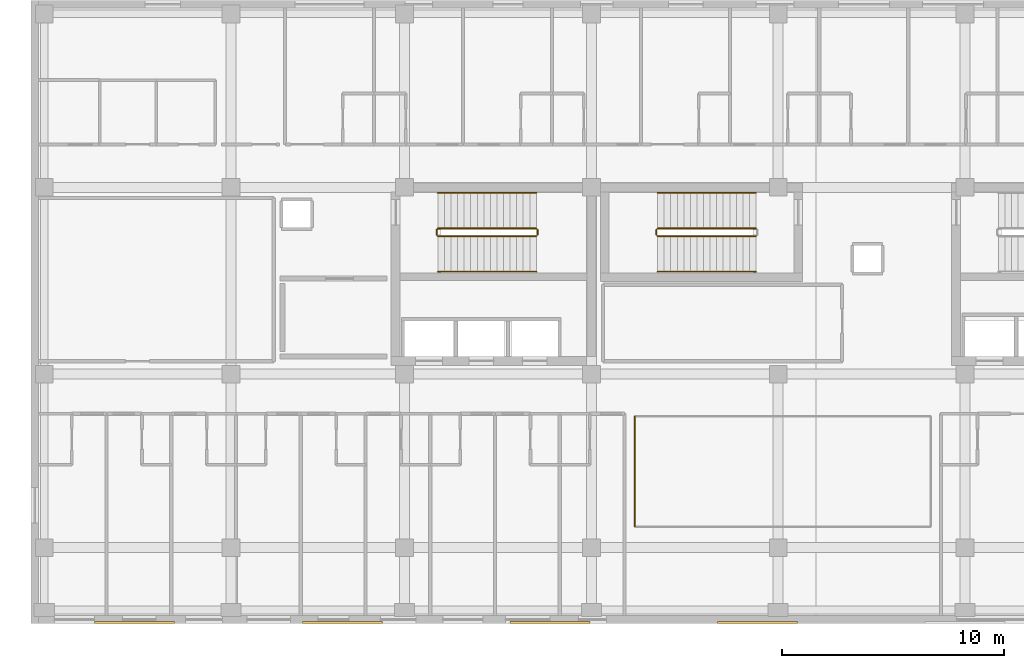
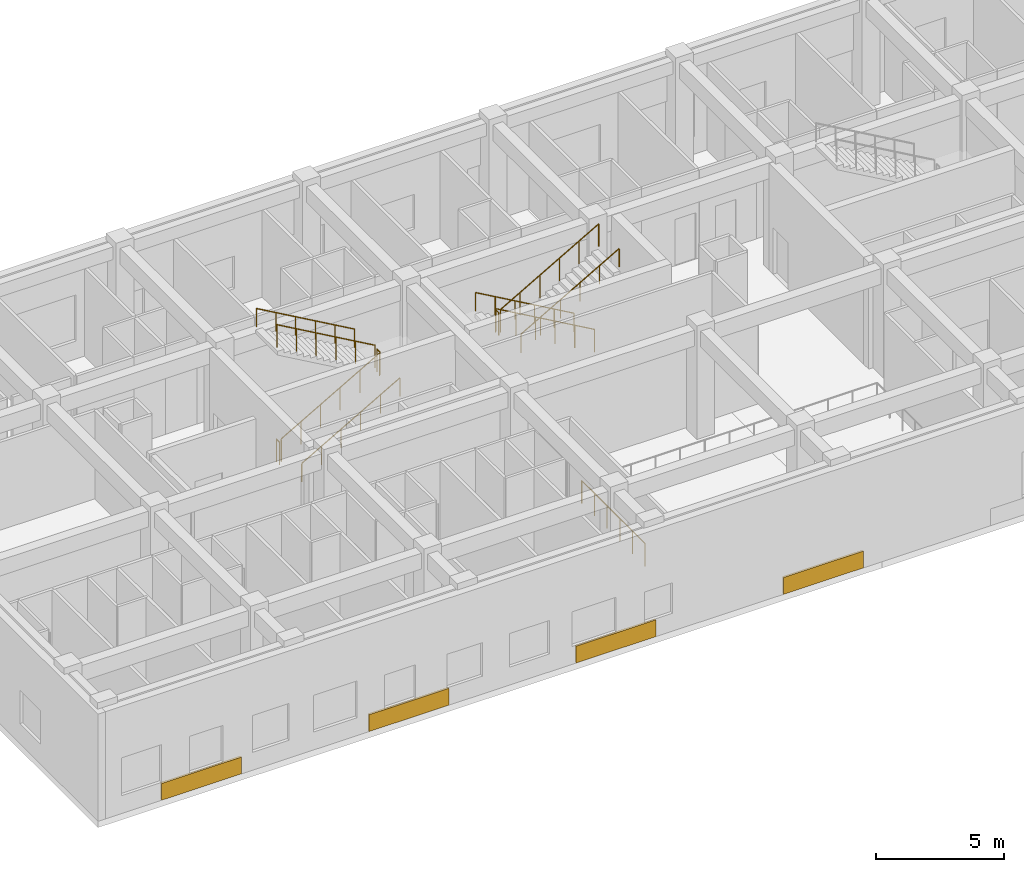
# One storey, part 124 of 139: 12 railings, 4 coverings.
"""IFC4 building model written with IfcOpenShell, lengths in metres."""

from ifc_helpers import new_model, si_unit, direction, frame, origin, origin_2d, place, context, subcontext, project, spatial, rectangle, circle, extrude, material, layer, layer_set, type_object, element, save


model = new_model("IFC4")

# Units and contexts
model_context = context("Model", 3, precision=1e-05, world=origin(), true_north=direction((0.0, 1.0)))
body_context = subcontext(model_context, "Body", "Model", "MODEL_VIEW")
ifc_project = project(units=[si_unit("LENGTHUNIT", "METRE"), si_unit("AREAUNIT", "SQUARE_METRE"), si_unit("VOLUMEUNIT", "CUBIC_METRE"), si_unit("PLANEANGLEUNIT", "RADIAN"), si_unit("MASSUNIT", "GRAM", prefix="KILO")], contexts=[model_context])

# Site, building, storey
site_placement = place(None, origin())
site = spatial("IfcSite", under=ifc_project, at=site_placement, CompositionType="ELEMENT")
building_placement = place(site_placement, origin())
building = spatial("IfcBuilding", under=site, at=building_placement, Name="Zayran Congress Hotel", CompositionType="ELEMENT")
storey_placement = place(building_placement, frame((0.0, 0.0, 5.39990234375)))
storey = spatial("IfcBuildingStorey", under=building, at=storey_placement, Name="L01", CompositionType="ELEMENT", Elevation=5.39990234375)

# Coverings
ifc_material_1 = material(Name="Ochre geometric bas-relief Hajar Ma'ani stone", Category="masonry")
ifc_layer = layer(ifc_material_1, 0.090087890625)
ifc_layer_set = layer_set([ifc_layer], Name="Ochre geometric bas-relief Hajar Ma'ani stone")
covering_type = type_object("IfcCoveringType", Name="TP-CLD-01", PredefinedType="CLADDING", material=ifc_layer_set)
for number, where, z_axis, x_axis, name in (
    (1, (13.06689453125, 6.044921875, 0.0), (0.0, 0.0, 1.0), (1.0, 0.0, 0.0), "CLD-V5S-L01-0"),
    (2, (22.39990234375, 6.044921875, 0.0), (0.0, 0.0, 1.0), (1.0, 0.0, 0.0), "CLD-V5S-L01-1"),
    (3, (31.73291015625, 6.044921875, 0.0), (0.0, 0.0, 1.0), (1.0, 0.0, 0.0), "CLD-V5S-L01-2"),
    (4, (41.06689453125, 6.044921875, 0.0), (0.0, 0.0, 1.0), (1.0, 0.0, 0.0), "CLD-V5S-L01-3"),
):
    element("IfcCovering", number, at=place(storey_placement, frame(where, z_axis=z_axis, x_axis=x_axis)), inside=storey, type_object=covering_type, Name=name, PredefinedType="CLADDING", context=body_context, shape_type="SweptSolid", body=[
        extrude(rectangle(XDim=3.60009765625, YDim=0.090087890625, at=origin_2d()), origin(), (0.0, 0.0, 1.0), 0.800048828125),
    ])

# Railings
ifc_material_2 = material(Name="Painted steel balustrade", Category="steel")
railing_type_1 = type_object("IfcRailingType", Name="TP-GRD-INT", PredefinedType="GUARDRAIL", material=ifc_material_2)
railing_1_placement = place(storey_placement, frame((26.699951171875, 23.409912109375, 0.1689453125)))
element("IfcRailing", 5, at=railing_1_placement, inside=storey, type_object=railing_type_1, Name="L01 ST-01 stair guard 1", PredefinedType="GUARDRAIL", context=body_context, shape_type="SweptSolid", body=[
    extrude(circle(Radius=0.02392578125, at=origin_2d()), frame((0.0, 0.0, 1.076171875), z_axis=(0.868019072493, 0.0, 0.49653085482), x_axis=(0.0, 1.0, 0.0)), (0.0, 0.0, 1.0), 5.097900390625),
    extrude(circle(Radius=0.02099609375, at=origin_2d()), origin(), (0.0, 0.0, 1.0), 1.052001953125),
    extrude(circle(Radius=0.02099609375, at=origin_2d()), frame((0.885009765625, 0.0, 0.50634765625)), (0.0, 0.0, 1.0), 1.052001953125),
    extrude(circle(Radius=0.02099609375, at=origin_2d()), frame((1.77001953125, 0.0, 1.012451171875)), (0.0, 0.0, 1.0), 1.052001953125),
    extrude(circle(Radius=0.02099609375, at=origin_2d()), frame((2.655029296875, 0.0, 1.518798828125)), (0.0, 0.0, 1.0), 1.052001953125),
    extrude(circle(Radius=0.02099609375, at=origin_2d()), frame((3.5400390625, 0.0, 2.02490234375)), (0.0, 0.0, 1.0), 1.052001953125),
    extrude(circle(Radius=0.02099609375, at=origin_2d()), frame((4.425048828125, 0.0, 2.53125)), (0.0, 0.0, 1.0), 1.052001953125),
])
railing_2_placement = place(storey_placement, frame((31.175048828125, 23.4599609375, 2.7001953125)))
element("IfcRailing", 6, at=railing_2_placement, inside=storey, type_object=railing_type_1, Name="L01 ST-01 stair guard 2", PredefinedType="GUARDRAIL", context=body_context, shape_type="SweptSolid", body=[
    extrude(circle(Radius=0.02392578125, at=origin_2d()), frame((0.0, 0.0, 1.076171875), z_axis=(0.0, 1.0, 0.0), x_axis=(-1.0, 0.0, 0.0)), (0.0, 0.0, 1.0), 0.239990234375),
    extrude(circle(Radius=0.02099609375, at=origin_2d()), origin(), (0.0, 0.0, 1.0), 1.052001953125),
    extrude(circle(Radius=0.02099609375, at=origin_2d()), frame((0.0, 0.239990234375, 0.0)), (0.0, 0.0, 1.0), 1.052001953125),
])
railing_3_placement = place(storey_placement, frame((31.125, 23.75, 2.868896484375)))
element("IfcRailing", 7, at=railing_3_placement, inside=storey, type_object=railing_type_1, Name="L01 ST-01 stair guard 3", PredefinedType="GUARDRAIL", context=body_context, shape_type="SweptSolid", body=[
    extrude(circle(Radius=0.02392578125, at=origin_2d()), frame((0.0, 0.0, 1.076171875), z_axis=(-0.868019072493, 0.0, 0.49653085482), x_axis=(0.0, -1.0, 0.0)), (0.0, 0.0, 1.0), 5.097900390625),
    extrude(circle(Radius=0.02099609375, at=origin_2d()), origin(), (0.0, 0.0, 1.0), 1.052001953125),
    extrude(circle(Radius=0.02099609375, at=origin_2d()), frame((-0.885009765625, 0.0, 0.50634765625)), (0.0, 0.0, 1.0), 1.052001953125),
    extrude(circle(Radius=0.02099609375, at=origin_2d()), frame((-1.77001953125, 0.0, 1.012451171875)), (0.0, 0.0, 1.0), 1.052001953125),
    extrude(circle(Radius=0.02099609375, at=origin_2d()), frame((-2.655029296875, 0.0, 1.518798828125)), (0.0, 0.0, 1.0), 1.052001953125),
    extrude(circle(Radius=0.02099609375, at=origin_2d()), frame((-3.5400390625, 0.0, 2.02490234375)), (0.0, 0.0, 1.0), 1.052001953125),
    extrude(circle(Radius=0.02099609375, at=origin_2d()), frame((-4.425048828125, 0.0, 2.53125)), (0.0, 0.0, 1.0), 1.052001953125),
])
railing_4_placement = place(storey_placement, frame((26.64990234375, 23.4599609375, 0.0)))
element("IfcRailing", 8, at=railing_4_placement, inside=storey, type_object=railing_type_1, Name="L01 ST-01 stair guard 4", PredefinedType="GUARDRAIL", context=body_context, shape_type="SweptSolid", body=[
    extrude(circle(Radius=0.02392578125, at=origin_2d()), frame((0.0, 0.0, 1.076171875), z_axis=(0.0, 1.0, 0.0), x_axis=(-1.0, 0.0, 0.0)), (0.0, 0.0, 1.0), 0.239990234375),
    extrude(circle(Radius=0.02099609375, at=origin_2d()), origin(), (0.0, 0.0, 1.0), 1.052001953125),
    extrude(circle(Radius=0.02099609375, at=origin_2d()), frame((0.0, 0.239990234375, 0.0)), (0.0, 0.0, 1.0), 1.052001953125),
])
railing_5_placement = place(storey_placement, frame((41.0, 23.75, 0.1689453125)))
element("IfcRailing", 9, at=railing_5_placement, inside=storey, type_object=railing_type_1, Name="L01 ST-13 stair guard 1", PredefinedType="GUARDRAIL", context=body_context, shape_type="SweptSolid", body=[
    extrude(circle(Radius=0.02392578125, at=origin_2d()), frame((0.0, 0.0, 1.076171875), z_axis=(-0.868019072493, 0.0, 0.49653085482), x_axis=(0.0, -1.0, 0.0)), (0.0, 0.0, 1.0), 5.097900390625),
    extrude(circle(Radius=0.02099609375, at=origin_2d()), origin(), (0.0, 0.0, 1.0), 1.052001953125),
    extrude(circle(Radius=0.02099609375, at=origin_2d()), frame((-0.885009765625, 0.0, 0.50634765625)), (0.0, 0.0, 1.0), 1.052001953125),
    extrude(circle(Radius=0.02099609375, at=origin_2d()), frame((-1.77001953125, 0.0, 1.012451171875)), (0.0, 0.0, 1.0), 1.052001953125),
    extrude(circle(Radius=0.02099609375, at=origin_2d()), frame((-2.655029296875, 0.0, 1.518798828125)), (0.0, 0.0, 1.0), 1.052001953125),
    extrude(circle(Radius=0.02099609375, at=origin_2d()), frame((-3.5400390625, 0.0, 2.02490234375)), (0.0, 0.0, 1.0), 1.052001953125),
    extrude(circle(Radius=0.02099609375, at=origin_2d()), frame((-4.425048828125, 0.0, 2.53125)), (0.0, 0.0, 1.0), 1.052001953125),
])
railing_6_placement = place(storey_placement, frame((36.52490234375, 23.699951171875, 2.7001953125)))
element("IfcRailing", 10, at=railing_6_placement, inside=storey, type_object=railing_type_1, Name="L01 ST-13 stair guard 2", PredefinedType="GUARDRAIL", context=body_context, shape_type="SweptSolid", body=[
    extrude(circle(Radius=0.02392578125, at=origin_2d()), frame((0.0, 0.0, 1.076171875), z_axis=(0.0, -1.0, 0.0), x_axis=(1.0, 0.0, 0.0)), (0.0, 0.0, 1.0), 0.239990234375),
    extrude(circle(Radius=0.02099609375, at=origin_2d()), origin(), (0.0, 0.0, 1.0), 1.052001953125),
    extrude(circle(Radius=0.02099609375, at=origin_2d()), frame((0.0, -0.239990234375, 0.0)), (0.0, 0.0, 1.0), 1.052001953125),
])
railing_7_placement = place(storey_placement, frame((36.574951171875, 23.409912109375, 2.868896484375)))
element("IfcRailing", 11, at=railing_7_placement, inside=storey, type_object=railing_type_1, Name="L01 ST-13 stair guard 3", PredefinedType="GUARDRAIL", context=body_context, shape_type="SweptSolid", body=[
    extrude(circle(Radius=0.02392578125, at=origin_2d()), frame((0.0, 0.0, 1.076171875), z_axis=(0.868019072493, 0.0, 0.49653085482), x_axis=(0.0, 1.0, 0.0)), (0.0, 0.0, 1.0), 5.097900390625),
    extrude(circle(Radius=0.02099609375, at=origin_2d()), origin(), (0.0, 0.0, 1.0), 1.052001953125),
    extrude(circle(Radius=0.02099609375, at=origin_2d()), frame((0.885009765625, 0.0, 0.50634765625)), (0.0, 0.0, 1.0), 1.052001953125),
    extrude(circle(Radius=0.02099609375, at=origin_2d()), frame((1.77001953125, 0.0, 1.012451171875)), (0.0, 0.0, 1.0), 1.052001953125),
    extrude(circle(Radius=0.02099609375, at=origin_2d()), frame((2.655029296875, 0.0, 1.518798828125)), (0.0, 0.0, 1.0), 1.052001953125),
    extrude(circle(Radius=0.02099609375, at=origin_2d()), frame((3.5400390625, 0.0, 2.02490234375)), (0.0, 0.0, 1.0), 1.052001953125),
    extrude(circle(Radius=0.02099609375, at=origin_2d()), frame((4.425048828125, 0.0, 2.53125)), (0.0, 0.0, 1.0), 1.052001953125),
])
railing_8_placement = place(storey_placement, frame((35.550048828125, 15.300048828125, 0.0)))
element("IfcRailing", 12, at=railing_8_placement, inside=storey, type_object=railing_type_1, Name="V5 L01 Interior Void Guardrail V5-L01-LOB-W", PredefinedType="GUARDRAIL", context=body_context, shape_type="SweptSolid", body=[
    extrude(circle(Radius=0.02392578125, at=origin_2d()), frame((0.0, 0.0, 1.076171875), z_axis=(0.0, -1.0, 0.0), x_axis=(1.0, 0.0, 0.0)), (0.0, 0.0, 1.0), 4.949951171875),
    extrude(circle(Radius=0.02099609375, at=origin_2d()), origin(), (0.0, 0.0, 1.0), 1.052001953125),
    extrude(circle(Radius=0.02099609375, at=origin_2d()), frame((0.0, -0.989990234375, 0.0)), (0.0, 0.0, 1.0), 1.052001953125),
    extrude(circle(Radius=0.02099609375, at=origin_2d()), frame((0.0, -1.97998046875, 0.0)), (0.0, 0.0, 1.0), 1.052001953125),
    extrude(circle(Radius=0.02099609375, at=origin_2d()), frame((0.0, -2.969970703125, 0.0)), (0.0, 0.0, 1.0), 1.052001953125),
    extrude(circle(Radius=0.02099609375, at=origin_2d()), frame((0.0, -3.9599609375, 0.0)), (0.0, 0.0, 1.0), 1.052001953125),
    extrude(circle(Radius=0.02099609375, at=origin_2d()), frame((0.0, -4.949951171875, 0.0)), (0.0, 0.0, 1.0), 1.052001953125),
])
ifc_material_3 = material(Name="Brushed stainless steel handrail", Category="steel")
railing_type_2 = type_object("IfcRailingType", Name="TP-HND-STR", PredefinedType="HANDRAIL", material=ifc_material_3)
railing_9_placement = place(storey_placement, frame((26.699951171875, 21.81005859375, 0.1689453125)))
element("IfcRailing", 13, at=railing_9_placement, inside=storey, type_object=railing_type_2, Name="L01 ST-01 stair handrail 1", PredefinedType="HANDRAIL", context=body_context, shape_type="SweptSolid", body=[
    extrude(circle(Radius=0.02392578125, at=origin_2d()), frame((0.0, 0.0, 0.8759765625), z_axis=(0.868019072493, 0.0, 0.49653085482), x_axis=(0.0, 1.0, 0.0)), (0.0, 0.0, 1.0), 5.097900390625),
    extrude(circle(Radius=0.02099609375, at=origin_2d()), origin(), (0.0, 0.0, 1.0), 0.851806640625),
    extrude(circle(Radius=0.02099609375, at=origin_2d()), frame((0.885009765625, 0.0, 0.50634765625)), (0.0, 0.0, 1.0), 0.851806640625),
    extrude(circle(Radius=0.02099609375, at=origin_2d()), frame((1.77001953125, 0.0, 1.012451171875)), (0.0, 0.0, 1.0), 0.851806640625),
    extrude(circle(Radius=0.02099609375, at=origin_2d()), frame((2.655029296875, 0.0, 1.518798828125)), (0.0, 0.0, 1.0), 0.851806640625),
    extrude(circle(Radius=0.02099609375, at=origin_2d()), frame((3.5400390625, 0.0, 2.02490234375)), (0.0, 0.0, 1.0), 0.851806640625),
    extrude(circle(Radius=0.02099609375, at=origin_2d()), frame((4.425048828125, 0.0, 2.53125)), (0.0, 0.0, 1.0), 0.851806640625),
])
for number, where, name in (
    (14, (31.125, 25.35009765625, 2.868896484375), "L01 ST-01 stair handrail 2"),
    (15, (41.0, 25.35009765625, 0.1689453125), "L01 ST-13 stair handrail 1"),
):
    element("IfcRailing", number, at=place(storey_placement, frame(where)), inside=storey, type_object=railing_type_2, Name=name, PredefinedType="HANDRAIL", context=body_context, shape_type="SweptSolid", body=[
        extrude(circle(Radius=0.02392578125, at=origin_2d()), frame((0.0, 0.0, 0.8759765625), z_axis=(-0.868019072493, 0.0, 0.49653085482), x_axis=(0.0, -1.0, 0.0)), (0.0, 0.0, 1.0), 5.097900390625),
        extrude(circle(Radius=0.02099609375, at=origin_2d()), origin(), (0.0, 0.0, 1.0), 0.851806640625),
        extrude(circle(Radius=0.02099609375, at=origin_2d()), frame((-0.885009765625, 0.0, 0.50634765625)), (0.0, 0.0, 1.0), 0.851806640625),
        extrude(circle(Radius=0.02099609375, at=origin_2d()), frame((-1.77001953125, 0.0, 1.012451171875)), (0.0, 0.0, 1.0), 0.851806640625),
        extrude(circle(Radius=0.02099609375, at=origin_2d()), frame((-2.655029296875, 0.0, 1.518798828125)), (0.0, 0.0, 1.0), 0.851806640625),
        extrude(circle(Radius=0.02099609375, at=origin_2d()), frame((-3.5400390625, 0.0, 2.02490234375)), (0.0, 0.0, 1.0), 0.851806640625),
        extrude(circle(Radius=0.02099609375, at=origin_2d()), frame((-4.425048828125, 0.0, 2.53125)), (0.0, 0.0, 1.0), 0.851806640625),
    ])
railing_10_placement = place(storey_placement, frame((36.574951171875, 21.81005859375, 2.868896484375)))
element("IfcRailing", 16, at=railing_10_placement, inside=storey, type_object=railing_type_2, Name="L01 ST-13 stair handrail 2", PredefinedType="HANDRAIL", context=body_context, shape_type="SweptSolid", body=[
    extrude(circle(Radius=0.02392578125, at=origin_2d()), frame((0.0, 0.0, 0.8759765625), z_axis=(0.868019072493, 0.0, 0.49653085482), x_axis=(0.0, 1.0, 0.0)), (0.0, 0.0, 1.0), 5.097900390625),
    extrude(circle(Radius=0.02099609375, at=origin_2d()), origin(), (0.0, 0.0, 1.0), 0.851806640625),
    extrude(circle(Radius=0.02099609375, at=origin_2d()), frame((0.885009765625, 0.0, 0.50634765625)), (0.0, 0.0, 1.0), 0.851806640625),
    extrude(circle(Radius=0.02099609375, at=origin_2d()), frame((1.77001953125, 0.0, 1.012451171875)), (0.0, 0.0, 1.0), 0.851806640625),
    extrude(circle(Radius=0.02099609375, at=origin_2d()), frame((2.655029296875, 0.0, 1.518798828125)), (0.0, 0.0, 1.0), 0.851806640625),
    extrude(circle(Radius=0.02099609375, at=origin_2d()), frame((3.5400390625, 0.0, 2.02490234375)), (0.0, 0.0, 1.0), 0.851806640625),
    extrude(circle(Radius=0.02099609375, at=origin_2d()), frame((4.425048828125, 0.0, 2.53125)), (0.0, 0.0, 1.0), 0.851806640625),
])

save(model, "model.ifc")
